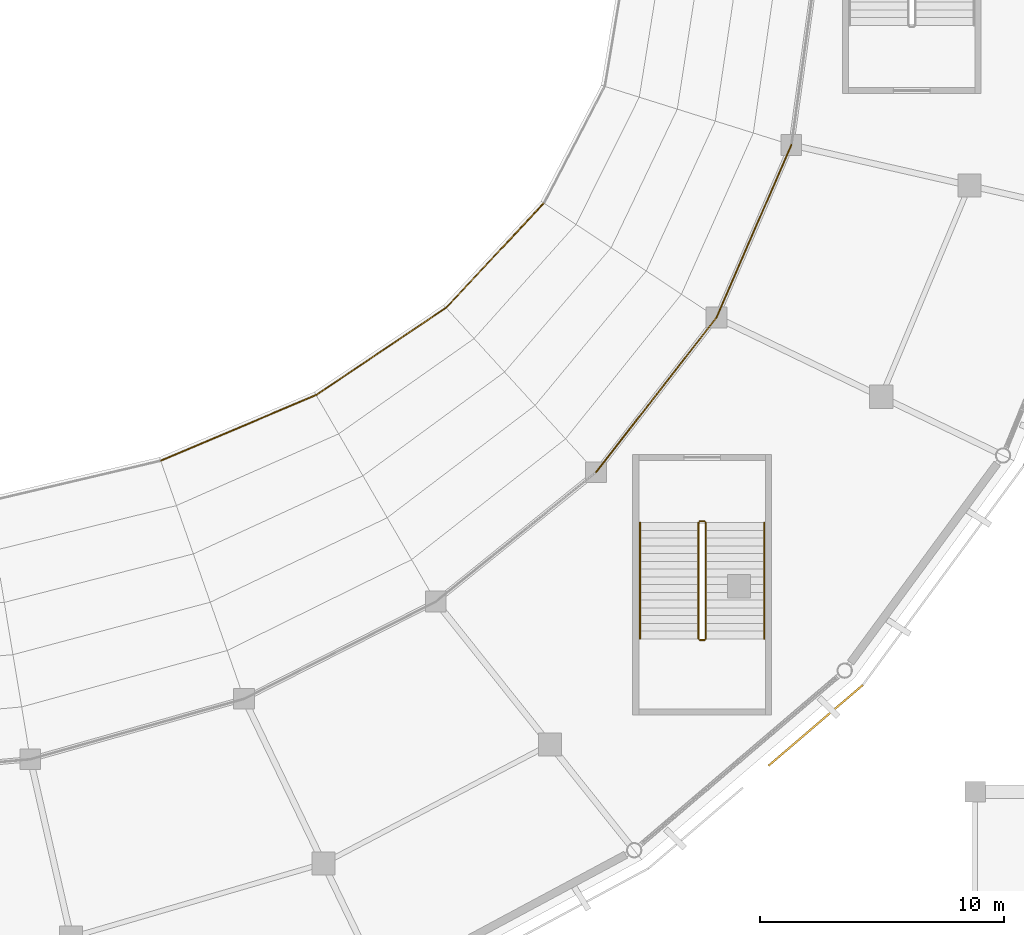
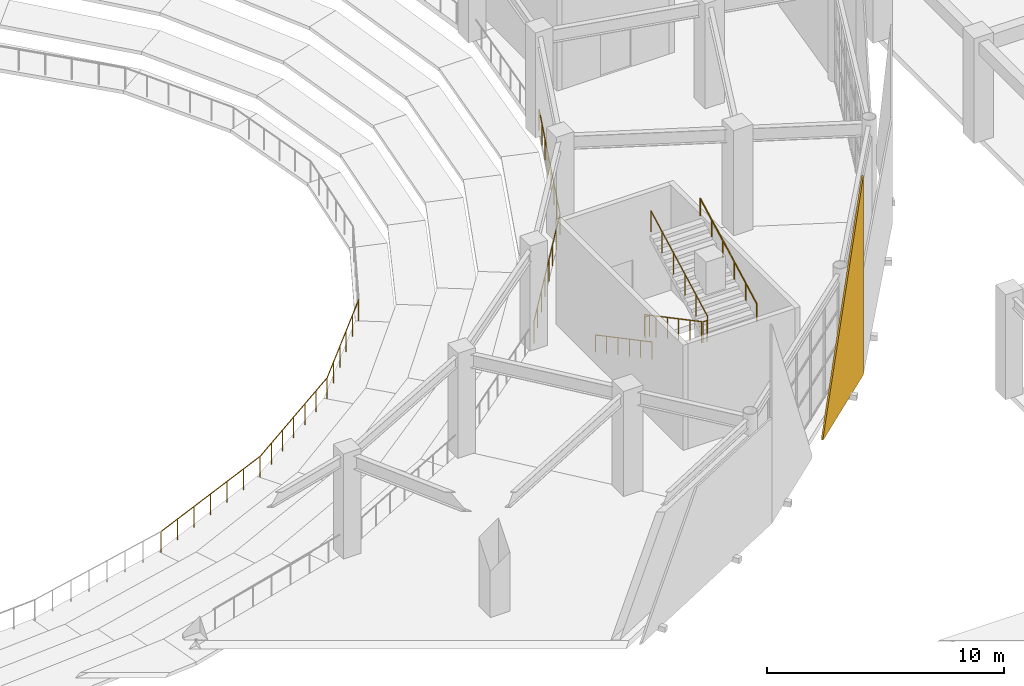
# One storey, part 100 of 120: 11 railings, 1 covering.
"""IFC4 building model written with IfcOpenShell, lengths in metres."""

from ifc_helpers import new_model, si_unit, direction, frame, origin, origin_2d, place, context, subcontext, project, spatial, polyline, circle, outline, extrude, material, layer, layer_set, type_object, element, save


model = new_model("IFC4")

# Units and contexts
model_context = context("Model", 3, precision=1e-05, world=origin(), true_north=direction((0.0, 1.0)))
body_context = subcontext(model_context, "Body", "Model", "MODEL_VIEW")
ifc_project = project(units=[si_unit("LENGTHUNIT", "METRE"), si_unit("AREAUNIT", "SQUARE_METRE"), si_unit("VOLUMEUNIT", "CUBIC_METRE"), si_unit("PLANEANGLEUNIT", "RADIAN"), si_unit("MASSUNIT", "GRAM", prefix="KILO")], contexts=[model_context])

# Site, building, storey
site_placement = place(None, origin())
site = spatial("IfcSite", under=ifc_project, at=site_placement, CompositionType="ELEMENT")
building_placement = place(site_placement, origin())
building = spatial("IfcBuilding", under=site, at=building_placement, Name="Cuetzalor Civic Arena", CompositionType="ELEMENT")
storey_placement = place(building_placement, frame((0.0, 0.0, 6.0)))
storey = spatial("IfcBuildingStorey", under=building, at=storey_placement, Name="L01", CompositionType="ELEMENT", Elevation=6.0)

# Railings
ifc_material_1 = material(Name="Reseda-green Steel S355 and laminated glass guard", Category="steel")
railing_type_1 = type_object("IfcRailingType", Name="BowlSightlineGuard_1100", PredefinedType="BALUSTRADE", material=ifc_material_1)
railing_1_placement = place(storey_placement, frame((14.60009765625, -20.406982421875, -4.800048828125)))
element("IfcRailing", 1, at=railing_1_placement, inside=storey, type_object=railing_type_1, Name="Lower Bowl Front Sightline Guard S24", PredefinedType="BALUSTRADE", context=body_context, shape_type="SweptSolid", body=[
    extrude(circle(Radius=0.02392578125, at=origin_2d()), frame((0.0, 0.0, 1.076171875), z_axis=(0.921013938975, 0.389529619174, 0.0), x_axis=(-0.389529619174, 0.921013938975, 0.0)), (0.0, 0.0, 1.0), 6.927490234375),
    extrude(circle(Radius=0.02099609375, at=origin_2d()), origin(), (0.0, 0.0, 1.0), 1.052001953125),
    extrude(circle(Radius=0.02099609375, at=origin_2d()), frame((1.0634765625, 0.44970703125, 0.0)), (0.0, 0.0, 1.0), 1.052001953125),
    extrude(circle(Radius=0.02099609375, at=origin_2d()), frame((2.126708984375, 0.8994140625, 0.0)), (0.0, 0.0, 1.0), 1.052001953125),
    extrude(circle(Radius=0.02099609375, at=origin_2d()), frame((3.190185546875, 1.34912109375, 0.0)), (0.0, 0.0, 1.0), 1.052001953125),
    extrude(circle(Radius=0.02099609375, at=origin_2d()), frame((4.253662109375, 1.799072265625, 0.0)), (0.0, 0.0, 1.0), 1.052001953125),
    extrude(circle(Radius=0.02099609375, at=origin_2d()), frame((5.31689453125, 2.248779296875, 0.0)), (0.0, 0.0, 1.0), 1.052001953125),
    extrude(circle(Radius=0.02099609375, at=origin_2d()), frame((6.38037109375, 2.698486328125, 0.0)), (0.0, 0.0, 1.0), 1.052001953125),
])
railing_2_placement = place(storey_placement, frame((20.98046875, -17.70849609375, -4.800048828125)))
element("IfcRailing", 2, at=railing_2_placement, inside=storey, type_object=railing_type_1, Name="Lower Bowl Front Sightline Guard S25", PredefinedType="BALUSTRADE", context=body_context, shape_type="SweptSolid", body=[
    extrude(circle(Radius=0.02392578125, at=origin_2d()), frame((0.0, 0.0, 1.076171875), z_axis=(0.829574202753, 0.558396491864, 0.0), x_axis=(-0.558396491864, 0.829574202753, 0.0)), (0.0, 0.0, 1.0), 6.422607421875),
    extrude(circle(Radius=0.02099609375, at=origin_2d()), origin(), (0.0, 0.0, 1.0), 1.052001953125),
    extrude(circle(Radius=0.02099609375, at=origin_2d()), frame((0.887939453125, 0.59765625, 0.0)), (0.0, 0.0, 1.0), 1.052001953125),
    extrude(circle(Radius=0.02099609375, at=origin_2d()), frame((1.776123046875, 1.195556640625, 0.0)), (0.0, 0.0, 1.0), 1.052001953125),
    extrude(circle(Radius=0.02099609375, at=origin_2d()), frame((2.6640625, 1.793212890625, 0.0)), (0.0, 0.0, 1.0), 1.052001953125),
    extrude(circle(Radius=0.02099609375, at=origin_2d()), frame((3.552001953125, 2.390869140625, 0.0)), (0.0, 0.0, 1.0), 1.052001953125),
    extrude(circle(Radius=0.02099609375, at=origin_2d()), frame((4.440185546875, 2.98876953125, 0.0)), (0.0, 0.0, 1.0), 1.052001953125),
    extrude(circle(Radius=0.02099609375, at=origin_2d()), frame((5.328125, 3.58642578125, 0.0)), (0.0, 0.0, 1.0), 1.052001953125),
])
railing_3_placement = place(storey_placement, frame((26.30859375, -14.1220703125, -4.800048828125)))
element("IfcRailing", 3, at=railing_3_placement, inside=storey, type_object=railing_type_1, Name="Lower Bowl Front Sightline Guard S26", PredefinedType="BALUSTRADE", context=body_context, shape_type="SweptSolid", body=[
    extrude(circle(Radius=0.02392578125, at=origin_2d()), frame((0.0, 0.0, 1.076171875), z_axis=(0.68237895225, 0.73099860843, 0.0), x_axis=(-0.73099860843, 0.68237895225, 0.0)), (0.0, 0.0, 1.0), 5.875),
    extrude(circle(Radius=0.02099609375, at=origin_2d()), origin(), (0.0, 0.0, 1.0), 1.052001953125),
    extrude(circle(Radius=0.02099609375, at=origin_2d()), frame((0.8017578125, 0.85888671875, 0.0)), (0.0, 0.0, 1.0), 1.052001953125),
    extrude(circle(Radius=0.02099609375, at=origin_2d()), frame((1.603515625, 1.7177734375, 0.0)), (0.0, 0.0, 1.0), 1.052001953125),
    extrude(circle(Radius=0.02099609375, at=origin_2d()), frame((2.405517578125, 2.576904296875, 0.0)), (0.0, 0.0, 1.0), 1.052001953125),
    extrude(circle(Radius=0.02099609375, at=origin_2d()), frame((3.207275390625, 3.435791015625, 0.0)), (0.0, 0.0, 1.0), 1.052001953125),
    extrude(circle(Radius=0.02099609375, at=origin_2d()), frame((4.009033203125, 4.294677734375, 0.0)), (0.0, 0.0, 1.0), 1.052001953125),
])
railing_4_placement = place(storey_placement, frame((32.446044921875, -20.886962890625, 0.0)))
element("IfcRailing", 4, at=railing_4_placement, inside=storey, type_object=railing_type_1, Name="Lower Bowl Concourse Rim Balustrade S26", PredefinedType="BALUSTRADE", context=body_context, shape_type="SweptSolid", body=[
    extrude(circle(Radius=0.02392578125, at=origin_2d()), frame((0.0, 0.0, 1.076171875), z_axis=(0.614234549024, 0.78912351301, 0.0), x_axis=(-0.78912351301, 0.614234549024, 0.0)), (0.0, 0.0, 1.0), 8.049072265625),
    extrude(circle(Radius=0.02099609375, at=origin_2d()), origin(), (0.0, 0.0, 1.0), 1.052001953125),
    extrude(circle(Radius=0.02099609375, at=origin_2d()), frame((0.706298828125, 0.907470703125, 0.0)), (0.0, 0.0, 1.0), 1.052001953125),
    extrude(circle(Radius=0.02099609375, at=origin_2d()), frame((1.41259765625, 1.814697265625, 0.0)), (0.0, 0.0, 1.0), 1.052001953125),
    extrude(circle(Radius=0.02099609375, at=origin_2d()), frame((2.118896484375, 2.72216796875, 0.0)), (0.0, 0.0, 1.0), 1.052001953125),
    extrude(circle(Radius=0.02099609375, at=origin_2d()), frame((2.8251953125, 3.629638671875, 0.0)), (0.0, 0.0, 1.0), 1.052001953125),
    extrude(circle(Radius=0.02099609375, at=origin_2d()), frame((3.531494140625, 4.537109375, 0.0)), (0.0, 0.0, 1.0), 1.052001953125),
    extrude(circle(Radius=0.02099609375, at=origin_2d()), frame((4.23779296875, 5.4443359375, 0.0)), (0.0, 0.0, 1.0), 1.052001953125),
    extrude(circle(Radius=0.02099609375, at=origin_2d()), frame((4.944091796875, 6.351806640625, 0.0)), (0.0, 0.0, 1.0), 1.052001953125),
])
railing_5_placement = place(storey_placement, frame((37.39013671875, -14.53515625, 0.0)))
element("IfcRailing", 5, at=railing_5_placement, inside=storey, type_object=railing_type_1, Name="Lower Bowl Concourse Rim Balustrade S27", PredefinedType="BALUSTRADE", context=body_context, shape_type="SweptSolid", body=[
    extrude(circle(Radius=0.02392578125, at=origin_2d()), frame((0.0, 0.0, 1.076171875), z_axis=(0.397726401809, 0.917504065007, 0.0), x_axis=(-0.917504065007, 0.397726401809, 0.0)), (0.0, 0.0, 1.0), 7.71728515625),
    extrude(circle(Radius=0.02099609375, at=origin_2d()), origin(), (0.0, 0.0, 1.0), 1.052001953125),
    extrude(circle(Radius=0.02099609375, at=origin_2d()), frame((0.4384765625, 1.011474609375, 0.0)), (0.0, 0.0, 1.0), 1.052001953125),
    extrude(circle(Radius=0.02099609375, at=origin_2d()), frame((0.876953125, 2.02294921875, 0.0)), (0.0, 0.0, 1.0), 1.052001953125),
    extrude(circle(Radius=0.02099609375, at=origin_2d()), frame((1.3154296875, 3.034423828125, 0.0)), (0.0, 0.0, 1.0), 1.052001953125),
    extrude(circle(Radius=0.02099609375, at=origin_2d()), frame((1.75390625, 4.046142578125, 0.0)), (0.0, 0.0, 1.0), 1.052001953125),
    extrude(circle(Radius=0.02099609375, at=origin_2d()), frame((2.1923828125, 5.0576171875, 0.0)), (0.0, 0.0, 1.0), 1.052001953125),
    extrude(circle(Radius=0.02099609375, at=origin_2d()), frame((2.630859375, 6.069091796875, 0.0)), (0.0, 0.0, 1.0), 1.052001953125),
    extrude(circle(Radius=0.02099609375, at=origin_2d()), frame((3.0693359375, 7.08056640625, 0.0)), (0.0, 0.0, 1.0), 1.052001953125),
])
ifc_material_2 = material(Name="Reseda-green architectural Steel S355 balustrade", Category="steel")
railing_type_2 = type_object("IfcRailingType", Name="InteriorVoidBalustrade_1100", PredefinedType="BALUSTRADE", material=ifc_material_2)
railing_6_placement = place(storey_placement, frame((36.64990234375, -22.949951171875, 0.168701171875)))
element("IfcRailing", 6, at=railing_6_placement, inside=storey, type_object=railing_type_2, Name="L01 ST-08 stair guard 1", PredefinedType="BALUSTRADE", context=body_context, shape_type="SweptSolid", body=[
    extrude(circle(Radius=0.02392578125, at=origin_2d()), frame((0.0, 0.0, 1.0810546875), z_axis=(0.0, -0.883332211103, 0.468747485143), x_axis=(1.0, 0.0, 0.0)), (0.0, 0.0, 1.0), 5.400146484375),
    extrude(circle(Radius=0.02099609375, at=origin_2d()), origin(), (0.0, 0.0, 1.0), 1.056884765625),
    extrude(circle(Radius=0.02099609375, at=origin_2d()), frame((0.0, -0.9541015625, 0.50634765625)), (0.0, 0.0, 1.0), 1.056884765625),
    extrude(circle(Radius=0.02099609375, at=origin_2d()), frame((0.0, -1.907958984375, 1.012451171875)), (0.0, 0.0, 1.0), 1.056884765625),
    extrude(circle(Radius=0.02099609375, at=origin_2d()), frame((0.0, -2.862060546875, 1.518798828125)), (0.0, 0.0, 1.0), 1.056884765625),
    extrude(circle(Radius=0.02099609375, at=origin_2d()), frame((0.0, -3.81591796875, 2.02490234375)), (0.0, 0.0, 1.0), 1.056884765625),
    extrude(circle(Radius=0.02099609375, at=origin_2d()), frame((0.0, -4.77001953125, 2.53125)), (0.0, 0.0, 1.0), 1.056884765625),
])
railing_7_placement = place(storey_placement, frame((36.699951171875, -27.77001953125, 2.699951171875)))
element("IfcRailing", 7, at=railing_7_placement, inside=storey, type_object=railing_type_2, Name="L01 ST-08 stair guard 2", PredefinedType="BALUSTRADE", context=body_context, shape_type="SweptSolid", body=[
    extrude(circle(Radius=0.02392578125, at=origin_2d()), frame((0.0, 0.0, 1.0810546875), z_axis=(1.0, 0.0, 0.0), x_axis=(0.0, 1.0, 0.0)), (0.0, 0.0, 1.0), 0.199951171875),
    extrude(circle(Radius=0.02099609375, at=origin_2d()), origin(), (0.0, 0.0, 1.0), 1.056884765625),
    extrude(circle(Radius=0.02099609375, at=origin_2d()), frame((0.199951171875, 0.0, 0.0)), (0.0, 0.0, 1.0), 1.056884765625),
])
railing_8_placement = place(storey_placement, frame((36.949951171875, -27.719970703125, 2.86865234375)))
element("IfcRailing", 8, at=railing_8_placement, inside=storey, type_object=railing_type_2, Name="L01 ST-08 stair guard 3", PredefinedType="BALUSTRADE", context=body_context, shape_type="SweptSolid", body=[
    extrude(circle(Radius=0.02392578125, at=origin_2d()), frame((0.0, 0.0, 1.0810546875), z_axis=(0.0, 0.883332211103, 0.468747485143), x_axis=(-1.0, 0.0, 0.0)), (0.0, 0.0, 1.0), 5.400146484375),
    extrude(circle(Radius=0.02099609375, at=origin_2d()), origin(), (0.0, 0.0, 1.0), 1.056884765625),
    extrude(circle(Radius=0.02099609375, at=origin_2d()), frame((0.0, 0.9541015625, 0.50634765625)), (0.0, 0.0, 1.0), 1.056884765625),
    extrude(circle(Radius=0.02099609375, at=origin_2d()), frame((0.0, 1.907958984375, 1.012451171875)), (0.0, 0.0, 1.0), 1.056884765625),
    extrude(circle(Radius=0.02099609375, at=origin_2d()), frame((0.0, 2.862060546875, 1.518798828125)), (0.0, 0.0, 1.0), 1.056884765625),
    extrude(circle(Radius=0.02099609375, at=origin_2d()), frame((0.0, 3.81591796875, 2.02490234375)), (0.0, 0.0, 1.0), 1.056884765625),
    extrude(circle(Radius=0.02099609375, at=origin_2d()), frame((0.0, 4.77001953125, 2.53125)), (0.0, 0.0, 1.0), 1.056884765625),
])
railing_9_placement = place(storey_placement, frame((36.699951171875, -22.89990234375, 0.0)))
element("IfcRailing", 9, at=railing_9_placement, inside=storey, type_object=railing_type_2, Name="L01 ST-08 stair guard 4", PredefinedType="BALUSTRADE", context=body_context, shape_type="SweptSolid", body=[
    extrude(circle(Radius=0.02392578125, at=origin_2d()), frame((0.0, 0.0, 1.0810546875), z_axis=(1.0, 0.0, 0.0), x_axis=(0.0, 1.0, 0.0)), (0.0, 0.0, 1.0), 0.199951171875),
    extrude(circle(Radius=0.02099609375, at=origin_2d()), origin(), (0.0, 0.0, 1.0), 1.056884765625),
    extrude(circle(Radius=0.02099609375, at=origin_2d()), frame((0.199951171875, 0.0, 0.0)), (0.0, 0.0, 1.0), 1.056884765625),
])
ifc_material_3 = material(Name="Galvanised steel S355", Category="steel")
railing_type_3 = type_object("IfcRailingType", Name="StairPitchHandrail_900", PredefinedType="HANDRAIL", material=ifc_material_3)
railing_10_placement = place(storey_placement, frame((34.25, -22.949951171875, 0.168701171875)))
element("IfcRailing", 10, at=railing_10_placement, inside=storey, type_object=railing_type_3, Name="L01 ST-08 stair handrail 1", PredefinedType="HANDRAIL", context=body_context, shape_type="SweptSolid", body=[
    extrude(circle(Radius=0.02392578125, at=origin_2d()), frame((0.0, 0.0, 0.8759765625), z_axis=(0.0, -0.883332211103, 0.468747485143), x_axis=(1.0, 0.0, 0.0)), (0.0, 0.0, 1.0), 5.400146484375),
    extrude(circle(Radius=0.02099609375, at=origin_2d()), origin(), (0.0, 0.0, 1.0), 0.851806640625),
    extrude(circle(Radius=0.02099609375, at=origin_2d()), frame((0.0, -0.9541015625, 0.50634765625)), (0.0, 0.0, 1.0), 0.851806640625),
    extrude(circle(Radius=0.02099609375, at=origin_2d()), frame((0.0, -1.907958984375, 1.012451171875)), (0.0, 0.0, 1.0), 0.851806640625),
    extrude(circle(Radius=0.02099609375, at=origin_2d()), frame((0.0, -2.862060546875, 1.518798828125)), (0.0, 0.0, 1.0), 0.851806640625),
    extrude(circle(Radius=0.02099609375, at=origin_2d()), frame((0.0, -3.81591796875, 2.02490234375)), (0.0, 0.0, 1.0), 0.851806640625),
    extrude(circle(Radius=0.02099609375, at=origin_2d()), frame((0.0, -4.77001953125, 2.53125)), (0.0, 0.0, 1.0), 0.851806640625),
])
railing_11_placement = place(storey_placement, frame((39.35009765625, -27.719970703125, 2.86865234375)))
element("IfcRailing", 11, at=railing_11_placement, inside=storey, type_object=railing_type_3, Name="L01 ST-08 stair handrail 2", PredefinedType="HANDRAIL", context=body_context, shape_type="SweptSolid", body=[
    extrude(circle(Radius=0.02392578125, at=origin_2d()), frame((0.0, 0.0, 0.8759765625), z_axis=(0.0, 0.883332211103, 0.468747485143), x_axis=(-1.0, 0.0, 0.0)), (0.0, 0.0, 1.0), 5.400146484375),
    extrude(circle(Radius=0.02099609375, at=origin_2d()), origin(), (0.0, 0.0, 1.0), 0.851806640625),
    extrude(circle(Radius=0.02099609375, at=origin_2d()), frame((0.0, 0.9541015625, 0.50634765625)), (0.0, 0.0, 1.0), 0.851806640625),
    extrude(circle(Radius=0.02099609375, at=origin_2d()), frame((0.0, 1.907958984375, 1.012451171875)), (0.0, 0.0, 1.0), 0.851806640625),
    extrude(circle(Radius=0.02099609375, at=origin_2d()), frame((0.0, 2.862060546875, 1.518798828125)), (0.0, 0.0, 1.0), 0.851806640625),
    extrude(circle(Radius=0.02099609375, at=origin_2d()), frame((0.0, 3.81591796875, 2.02490234375)), (0.0, 0.0, 1.0), 0.851806640625),
    extrude(circle(Radius=0.02099609375, at=origin_2d()), frame((0.0, 4.77001953125, 2.53125)), (0.0, 0.0, 1.0), 0.851806640625),
])

# Covering
ifc_material_4 = material(Name="Terracotta-red perforated anodised aluminium panel", Category="masonry")
ifc_layer = layer(ifc_material_4, 0.080078125)
ifc_layer_set = layer_set([ifc_layer], Name="Terracotta-red perforated anodised aluminium panel")
covering_type = type_object("IfcCoveringType", Name="TerracottaPerforatedScreenPanel", PredefinedType="CLADDING", material=ifc_layer_set)
covering_placement = place(storey_placement, frame((43.3916015625, -29.61572265625, -0.14990234375), z_axis=(0.0, 0.0, 1.0), x_axis=(-0.75974060177, -0.650226282169, 0.0)))
element("IfcCovering", 12, at=covering_placement, inside=storey, type_object=covering_type, Name="Terracotta Perforated Triangle Cheek Left S25", PredefinedType="CLADDING", context=body_context, shape_type="SweptSolid", body=[
    extrude(outline(polyline([(0.0, 0.0), (5.089599609375, 0.0), (5.089599609375, 0.139892578125), (0.0, 10.22998046875), (0.0, 0.0)])), frame((0.0, 0.0400390625, 0.0), z_axis=(0.0, -1.0, 0.0), x_axis=(1.0, 0.0, 0.0)), (0.0, 0.0, 1.0), 0.080078125),
])

save(model, "model.ifc")
